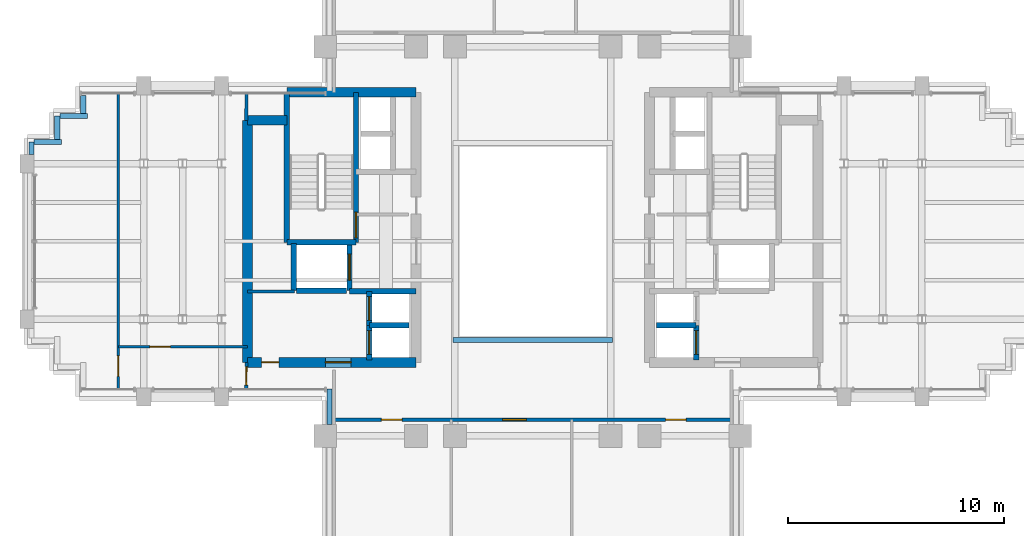
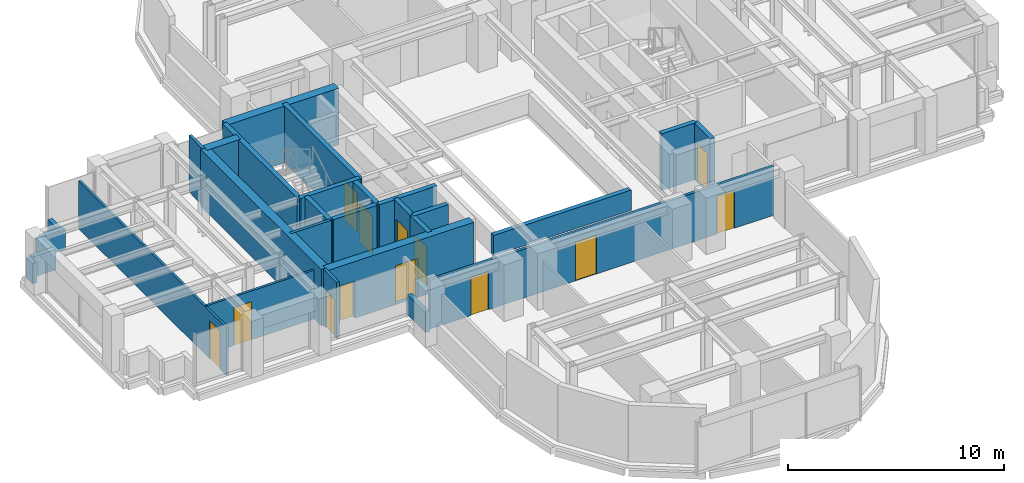
# One storey, part 8 of 13: 29 walls, 13 doors, 13 openings.
"""IFC4 building model written with IfcOpenShell, lengths in metres."""

import ifcopenshell
import ifcopenshell.guid

model = None  # the IFC model being written
_history = None  # IfcOwnerHistory: only IFC2X3 demands one
_inside = {}  # id of a spatial element -> (the spatial element, [elements in it])
_under = {}  # id of a project, library or spatial element -> (it, [spatial elements below it])
_declared = {}  # id of a project -> (the project, [libraries it declares])
_typed = {}  # id of a type object -> (the type object, [elements of that type])
_made_of = {}  # id of a material, layer set ... -> (it, [elements and type objects made of it])


def new_model(schema):
    """Start an empty IFC model of exactly this schema.

    Asked for "IFC4X3", IfcOpenShell would pick the latest addendum, in which some entities
    have other attributes; the version numbers below select the first issue.
    IFC2X3 requires an IfcOwnerHistory on every rooted entity: one is made here for all.
    """
    global model, _history
    if schema == "IFC4X3":
        model = ifcopenshell.file(schema_version=(4, 3, 0, 0))
    else:
        model = ifcopenshell.file(schema=schema)
    _inside.clear()
    _under.clear()
    _declared.clear()
    _typed.clear()
    _made_of.clear()
    _history = None
    if model.schema == "IFC2X3":
        org = make("IfcOrganization", Name="unknown")
        user = make(
            "IfcPersonAndOrganization",
            ThePerson=make("IfcPerson", FamilyName="unknown"),
            TheOrganization=org,
        )
        app = make(
            "IfcApplication",
            ApplicationDeveloper=org,
            Version="unknown",
            ApplicationFullName="unknown",
            ApplicationIdentifier="unknown",
        )
        _history = make(
            "IfcOwnerHistory",
            OwningUser=user,
            OwningApplication=app,
            ChangeAction="ADDED",
            CreationDate=0,
        )
    return model


def make(cls, **values):
    """One entity of the class cls with the attributes given. An attribute that is None is left unset."""
    return model.create_entity(
        cls, **{name: value for name, value in values.items() if value is not None}
    )


def rooted(cls, **values):
    """An entity with a GlobalId (a new one), such as an element, a storey or a relation."""
    return make(cls, GlobalId=ifcopenshell.guid.new(), OwnerHistory=_history, **values)


def si_unit(unit_type, name, prefix=None):
    """IfcSIUnit, for example si_unit("LENGTHUNIT", "METRE", prefix="MILLI")."""
    return make("IfcSIUnit", UnitType=unit_type, Prefix=prefix, Name=name)


def assignment(units):
    """IfcUnitAssignment: the units of a project."""
    return None if units is None else make("IfcUnitAssignment", Units=units)


def point(xyz):
    """IfcCartesianPoint."""
    return None if xyz is None else make("IfcCartesianPoint", Coordinates=xyz)


def direction(xyz):
    """IfcDirection."""
    return None if xyz is None else make("IfcDirection", DirectionRatios=xyz)


def frame(location, z_axis=None, x_axis=None):
    """IfcAxis2Placement3D, a coordinate frame: its origin and axes. An axis left out is left unset."""
    return make(
        "IfcAxis2Placement3D",
        Location=point(location),
        Axis=direction(z_axis),
        RefDirection=direction(x_axis),
    )


def frame_2d(location, x_axis=None):
    """IfcAxis2Placement2D, a coordinate frame in the plane: its origin and x axis."""
    return make(
        "IfcAxis2Placement2D", Location=point(location), RefDirection=direction(x_axis)
    )


def origin():
    """The frame at (0, 0, 0) with its axes left unset."""
    return frame((0.0, 0.0, 0.0))


def place(relative_to, where):
    """IfcLocalPlacement: puts the frame where relative to a parent placement (None: the world)."""
    return make(
        "IfcLocalPlacement", PlacementRelTo=relative_to, RelativePlacement=where
    )


def context(
    kind, dimensions, precision=None, world=None, true_north=None, identifier=None
):
    """IfcGeometricRepresentationContext, for example the 3D "Model" context."""
    return make(
        "IfcGeometricRepresentationContext",
        ContextIdentifier=identifier,
        ContextType=kind,
        CoordinateSpaceDimension=dimensions,
        Precision=precision,
        WorldCoordinateSystem=world,
        TrueNorth=true_north,
    )


def subcontext(parent, identifier, kind, view, scale=None):
    """IfcGeometricRepresentationSubContext, for example "Body" below "Model"."""
    return make(
        "IfcGeometricRepresentationSubContext",
        ContextIdentifier=identifier,
        ContextType=kind,
        ParentContext=parent,
        TargetScale=scale,
        TargetView=view,
    )


def project(units=None, contexts=None):
    """IfcProject with its units and contexts."""
    return rooted(
        "IfcProject",
        Name="project",
        RepresentationContexts=contexts,
        UnitsInContext=assignment(units),
    )


def spatial(cls, under=None, at=None, **own):
    """A site, building, storey or space (cls), placed at a placement, below another one or the project."""
    s = rooted(cls, ObjectPlacement=at, **own)
    if under is not None:
        _under.setdefault(under.id(), (under, []))[1].append(s)
    return s


def profile(cls, at=None, kind="AREA", **sizes):
    """A parametric profile (cls). Its sizes go by their IFC names, for example OverallWidth=200.0."""
    return make(cls, ProfileType=kind, Position=at, **sizes)


def rectangle(**sizes):
    """IfcRectangleProfileDef."""
    return profile("IfcRectangleProfileDef", **sizes)


def extrude(swept, where, along, depth):
    """IfcExtrudedAreaSolid: the profile swept, set in the frame where, extruded along a direction by depth."""
    return make(
        "IfcExtrudedAreaSolid",
        SweptArea=swept,
        Position=where,
        ExtrudedDirection=direction(along),
        Depth=depth,
    )


def shape(context_of_items, identifier, shape_type, items):
    """IfcShapeRepresentation: the items that make up one representation, for example the "Body"."""
    return make(
        "IfcShapeRepresentation",
        ContextOfItems=context_of_items,
        RepresentationIdentifier=identifier,
        RepresentationType=shape_type,
        Items=items,
    )


def source(mapping_origin, context_of_items, identifier, shape_type, items):
    """IfcRepresentationMap: a shape defined once, which mapped items show again and again."""
    return make(
        "IfcRepresentationMap",
        MappingOrigin=mapping_origin,
        MappedRepresentation=shape(context_of_items, identifier, shape_type, items),
    )


def transform(
    local_origin,
    x_axis=None,
    y_axis=None,
    z_axis=None,
    scale=None,
    scale2=None,
    scale3=None,
    uniform=True,
):
    """IfcCartesianTransformationOperator3D, or its non-uniform kind. x_axis, y_axis, z_axis: its Axis1, 2, 3."""
    if uniform:
        return make(
            "IfcCartesianTransformationOperator3D",
            Axis1=direction(x_axis),
            Axis2=direction(y_axis),
            LocalOrigin=point(local_origin),
            Scale=scale,
            Axis3=direction(z_axis),
        )
    return make(
        "IfcCartesianTransformationOperator3DnonUniform",
        Axis1=direction(x_axis),
        Axis2=direction(y_axis),
        LocalOrigin=point(local_origin),
        Scale=scale,
        Axis3=direction(z_axis),
        Scale2=scale2,
        Scale3=scale3,
    )


def mapped(mapping_source, mapping_target):
    """IfcMappedItem: shows the shape of a source again, moved by a transform."""
    return make(
        "IfcMappedItem", MappingSource=mapping_source, MappingTarget=mapping_target
    )


def material(Name=None, Category=None):
    """IfcMaterial."""
    return make("IfcMaterial", Name=Name, Category=Category)


def layer(
    of_material, thickness, ventilated=None, Name=None, Category=None, Priority=None
):
    """IfcMaterialLayer: one layer of a wall or slab, of a material (None: an air gap)."""
    return make(
        "IfcMaterialLayer",
        Material=of_material,
        LayerThickness=thickness,
        IsVentilated=ventilated,
        Name=Name,
        Category=Category,
        Priority=Priority,
    )


def layer_set(layers, Name=None):
    """IfcMaterialLayerSet."""
    return make("IfcMaterialLayerSet", MaterialLayers=layers, LayerSetName=Name)


def made_of(thing, what):
    """Note that an element or type object is made of a material, layer set ...; save() writes the relation."""
    if what is not None:
        _made_of.setdefault(what.id(), (what, []))[1].append(thing)
    return thing


def type_object(cls, material=None, **own):
    """A type object (cls), such as IfcWallType, which elements share."""
    return made_of(rooted(cls, **own), material)


def element(
    cls,
    number,
    at=None,
    inside=None,
    cuts=None,
    type_object=None,
    material=None,
    context=None,
    identifier="Body",
    shape_type=None,
    held_by="IfcProductDefinitionShape",
    body=None,
    shapes=None,
    **own,
):
    """One element of the class cls, such as IfcWall. Its Tag is "e" and its number.

    at: its placement. inside: the storey or other place that contains it. cuts: it is an
    opening in that element (IfcRelVoidsElement). A single representation is given by context,
    identifier, shape_type and body (its items); several are given by shapes. held_by: the class
    of the entity that holds the representations. save() writes the other relations.
    """
    e = rooted(cls, Tag="e%d" % number, ObjectPlacement=at, **own)
    if body is not None:
        shapes = [shape(context, identifier, shape_type, body)]
    if shapes is not None:
        e.Representation = make(held_by, Representations=shapes)
    if inside is not None:
        _inside.setdefault(inside.id(), (inside, []))[1].append(e)
    if cuts is not None:
        rooted(
            "IfcRelVoidsElement", RelatingBuildingElement=cuts, RelatedOpeningElement=e
        )
    if type_object is not None:
        _typed.setdefault(type_object.id(), (type_object, []))[1].append(e)
    return made_of(e, material)


def fill(opening, filler):
    """IfcRelFillsElement: the door or window that sits in an opening."""
    return rooted(
        "IfcRelFillsElement",
        RelatingOpeningElement=opening,
        RelatedBuildingElement=filler,
    )


def aggregate(whole, parts):
    """IfcRelAggregates: a whole, such as a stair, and the parts it consists of."""
    return rooted("IfcRelAggregates", RelatingObject=whole, RelatedObjects=parts)


def save(model, path):
    """Write the relations noted so far, then the file.

    IfcRelAggregates (storeys below a building ...), IfcRelContainedInSpatialStructure (elements
    in a storey), IfcRelDefinesByType, IfcRelAssociatesMaterial and IfcRelDeclares: one each for
    every whole, place, type object, material and project.
    """
    for whole, parts in _under.values():
        aggregate(whole, parts)
    for where, things in _inside.values():
        rooted(
            "IfcRelContainedInSpatialStructure",
            RelatedElements=things,
            RelatingStructure=where,
        )
    for kind, things in _typed.values():
        rooted("IfcRelDefinesByType", RelatedObjects=things, RelatingType=kind)
    for what, things in _made_of.values():
        rooted("IfcRelAssociatesMaterial", RelatedObjects=things, RelatingMaterial=what)
    for by, libraries in _declared.values():
        rooted("IfcRelDeclares", RelatingContext=by, RelatedDefinitions=libraries)
    model.write(path)


model = new_model("IFC4")

# Units and contexts
model_context = context("Model", 3, precision=1e-05, world=origin(), true_north=direction((0.0, 1.0)))
body_context = subcontext(model_context, "Body", "Model", "MODEL_VIEW")
ifc_project = project(units=[si_unit("LENGTHUNIT", "METRE"), si_unit("AREAUNIT", "SQUARE_METRE"), si_unit("VOLUMEUNIT", "CUBIC_METRE"), si_unit("PLANEANGLEUNIT", "RADIAN"), si_unit("MASSUNIT", "GRAM", prefix="KILO")], contexts=[model_context])

# Site, building, storey
site_placement = place(None, origin())
site = spatial("IfcSite", under=ifc_project, at=site_placement, CompositionType="ELEMENT")
building_placement = place(site_placement, origin())
building = spatial("IfcBuilding", under=site, at=building_placement, Name="Keilestroom Media Tower", CompositionType="ELEMENT")
storey_placement = place(building_placement, frame((0.0, 0.0, 144.800048828125)))
storey = spatial("IfcBuildingStorey", under=building, at=storey_placement, Name="L39", CompositionType="ELEMENT", Elevation=144.800048828125)

# Wall, opening, door
ifc_material_1 = material(Name="Gypsum Plasterboard & Steel Stud", Category="steel")
ifc_layer_1 = layer(ifc_material_1, 0.1201171875)
ifc_layer_set_1 = layer_set([ifc_layer_1], Name="Gypsum Plasterboard & Steel Stud")
wall_type_1 = type_object("IfcWallType", Name="Interior-Partition-Wall-120", PredefinedType="PARTITIONING", material=ifc_layer_set_1)
wall_1_placement = place(storey_placement, frame((-19.169921875, -4.8798828125, 0.0), z_axis=(0.0, 0.0, 1.0), x_axis=(1.0, 0.0, 0.0)))
wall_1 = element("IfcWall", 1, at=wall_1_placement, inside=storey, type_object=wall_type_1, Name="L39 Interior Wall WP-L39-WA-CN", PredefinedType="PARTITIONING", context=body_context, shape_type="SweptSolid", body=[
    extrude(rectangle(XDim=5.969970703125, YDim=0.1201171875, at=frame_2d((2.98486328125, 0.0))), origin(), (0.0, 0.0, 1.0), 2.760009765625),
])
opening_1_placement = place(wall_1_placement, frame((1.449951171875, 0.0, 0.0)))
opening_1 = element("IfcOpeningElement", 2, at=opening_1_placement, cuts=wall_1, Name="Opening DI-03", PredefinedType="OPENING", context=body_context, shape_type="SweptSolid", body=[
    extrude(rectangle(XDim=0.949951171875, YDim=2.14990234375, at=frame_2d((0.47509765625, 1.074951171875))), frame((0.0, 0.070068359375, 0.0), z_axis=(0.0, -1.0, 0.0), x_axis=(1.0, 0.0, 0.0)), (0.0, 0.0, 1.0), 0.14013671875),
])
ifc_material_2 = material(Name="Lacquered European Oak Leaf", Category="wood")
door_type_1 = type_object("IfcDoorType", Name="Interior-Room-And-Suite-Door-DI-03", OperationType="NOTDEFINED", PredefinedType="DOOR", material=ifc_material_2)
shared_shape_1 = source(origin(), body_context, "Body", "SweptSolid", [
    extrude(rectangle(XDim=0.949951171875, YDim=2.14990234375, at=frame_2d((0.47509765625, 1.074951171875))), frame((0.0, 0.02490234375, 0.0), z_axis=(0.0, -1.0, 0.0), x_axis=(1.0, 0.0, 0.0)), (0.0, 0.0, 1.0), 0.050048828125),
])
door_1_placement = place(opening_1_placement, origin())
door_1 = element("IfcDoor", 3, at=door_1_placement, inside=storey, type_object=door_type_1, Name="L39 Interior Door DI-L39-DWA-RN", OperationType="SINGLE_SWING_RIGHT", OverallHeight=2.14990234375, OverallWidth=0.949951171875, PredefinedType="DOOR", context=body_context, shape_type="MappedRepresentation", body=[
    mapped(shared_shape_1, transform((0.0, 0.0, 0.0), x_axis=(1.0, 0.0, 0.0), y_axis=(0.0, 1.0, 0.0), z_axis=(0.0, 0.0, 1.0), scale=1.0)),
])
fill(opening_1, door_1)

wall_2_placement = place(storey_placement, frame((-19.169921875, -6.85009765625, 0.0), z_axis=(0.0, 0.0, 1.0), x_axis=(0.0, 1.0, 0.0)))
wall_2 = element("IfcWall", 4, at=wall_2_placement, inside=storey, type_object=wall_type_1, Name="L39 Interior Wall WP-L39-WA-CE", PredefinedType="PARTITIONING", context=body_context, shape_type="SweptSolid", body=[
    extrude(rectangle(XDim=13.7001953125, YDim=0.1201171875, at=frame_2d((6.85009765625, 0.0))), origin(), (0.0, 0.0, 1.0), 2.699951171875),
])
opening_2_placement = place(wall_2_placement, frame((0.60009765625, 0.0, 0.0)))
opening_2 = element("IfcOpeningElement", 5, at=opening_2_placement, cuts=wall_2, Name="Opening DI-03", PredefinedType="OPENING", context=body_context, shape_type="SweptSolid", body=[
    extrude(rectangle(XDim=0.949951171875, YDim=2.14990234375, at=frame_2d((0.47509765625, 1.074951171875))), frame((0.0, 0.070068359375, 0.0), z_axis=(0.0, -1.0, 0.0), x_axis=(1.0, 0.0, 0.0)), (0.0, 0.0, 1.0), 0.14013671875),
])
door_2_placement = place(opening_2_placement, origin())
door_2 = element("IfcDoor", 6, at=door_2_placement, inside=storey, type_object=door_type_1, Name="L39 Interior Door DI-L39-DWA-END", OperationType="SINGLE_SWING_LEFT", OverallHeight=2.14990234375, OverallWidth=0.949951171875, PredefinedType="DOOR", context=body_context, shape_type="MappedRepresentation", body=[
    mapped(shared_shape_1, transform((0.0, 0.0, 0.0), x_axis=(1.0, 0.0, 0.0), y_axis=(0.0, 1.0, 0.0), z_axis=(0.0, 0.0, 1.0), scale=1.0)),
])
fill(opening_2, door_2)

# Wall
ifc_layer_2 = layer(ifc_material_1, 0.14990234375)
ifc_layer_set_2 = layer_set([ifc_layer_2], Name="Gypsum Plasterboard & Steel Stud")
wall_type_2 = type_object("IfcWallType", Name="Interior-Partition-Wall-150", PredefinedType="PARTITIONING", material=ifc_layer_set_2)
wall_3_placement = place(storey_placement, frame((-13.199951171875, -2.320068359375, 0.0), z_axis=(0.0, 0.0, 1.0), x_axis=(1.0, 0.0, 0.0)))
element("IfcWall", 7, at=wall_3_placement, inside=storey, type_object=wall_type_2, Name="L39 Interior Wall WP-L39-RECLW-N", PredefinedType="PARTITIONING", context=body_context, shape_type="SweptSolid", body=[
    extrude(rectangle(XDim=2.179931640625, YDim=0.14990234375, at=frame_2d((1.08984375, 0.0))), origin(), (0.0, 0.0, 1.0), 3.199951171875),
])

# Wall, openings, doors
wall_4_placement = place(storey_placement, frame((-9.199951171875, -8.25, 0.0), z_axis=(0.0, 0.0, 1.0), x_axis=(1.0, 0.0, 0.0)))
wall_4 = element("IfcWall", 8, at=wall_4_placement, inside=storey, type_object=wall_type_2, Name="L39 Interior Wall WP-L39-SL-BASE", PredefinedType="PARTITIONING", context=body_context, shape_type="SweptSolid", body=[
    extrude(rectangle(XDim=18.39990234375, YDim=0.14990234375, at=frame_2d((9.199951171875, 0.0))), origin(), (0.0, 0.0, 1.0), 2.760009765625),
])
opening_3_placement = place(wall_4_placement, frame((2.199951171875, 0.0, 0.0)))
opening_3 = element("IfcOpeningElement", 9, at=opening_3_placement, cuts=wall_4, Name="Opening DI-03", PredefinedType="OPENING", context=body_context, shape_type="SweptSolid", body=[
    extrude(rectangle(XDim=0.949951171875, YDim=2.14990234375, at=frame_2d((0.47509765625, 1.074951171875))), frame((0.0, 0.0849609375, 0.0), z_axis=(0.0, -1.0, 0.0), x_axis=(1.0, 0.0, 0.0)), (0.0, 0.0, 1.0), 0.169921875),
])
opening_4_placement = place(wall_4_placement, frame((7.800048828125, 0.0, 0.0)))
opening_4 = element("IfcOpeningElement", 10, at=opening_4_placement, cuts=wall_4, Name="Opening DI-04", PredefinedType="OPENING", context=body_context, shape_type="SweptSolid", body=[
    extrude(rectangle(XDim=1.10009765625, YDim=2.199951171875, at=frame_2d((0.550048828125, 1.10009765625))), frame((0.0, 0.0849609375, 0.0), z_axis=(0.0, -1.0, 0.0), x_axis=(1.0, 0.0, 0.0)), (0.0, 0.0, 1.0), 0.169921875),
])
opening_5_placement = place(wall_4_placement, frame((15.35009765625, 0.0, 0.0)))
opening_5 = element("IfcOpeningElement", 11, at=opening_5_placement, cuts=wall_4, Name="Opening DI-03", PredefinedType="OPENING", context=body_context, shape_type="SweptSolid", body=[
    extrude(rectangle(XDim=0.949951171875, YDim=2.14990234375, at=frame_2d((0.47509765625, 1.074951171875))), frame((0.0, 0.0849609375, 0.0), z_axis=(0.0, -1.0, 0.0), x_axis=(1.0, 0.0, 0.0)), (0.0, 0.0, 1.0), 0.169921875),
])
door_3_placement = place(opening_3_placement, origin())
door_3 = element("IfcDoor", 12, at=door_3_placement, inside=storey, type_object=door_type_1, Name="L39 Interior Door DI-L39-DSL-1", OperationType="SINGLE_SWING_LEFT", OverallHeight=2.14990234375, OverallWidth=0.949951171875, PredefinedType="DOOR", context=body_context, shape_type="MappedRepresentation", body=[
    mapped(shared_shape_1, transform((0.0, 0.0, 0.0), x_axis=(1.0, 0.0, 0.0), y_axis=(0.0, 1.0, 0.0), z_axis=(0.0, 0.0, 1.0), scale=1.0)),
])
fill(opening_3, door_3)
door_4_placement = place(opening_5_placement, origin())
door_4 = element("IfcDoor", 13, at=door_4_placement, inside=storey, type_object=door_type_1, Name="L39 Interior Door DI-L39-DSL-3", OperationType="SINGLE_SWING_LEFT", OverallHeight=2.14990234375, OverallWidth=0.949951171875, PredefinedType="DOOR", context=body_context, shape_type="MappedRepresentation", body=[
    mapped(shared_shape_1, transform((0.0, 0.0, 0.0), x_axis=(1.0, 0.0, 0.0), y_axis=(0.0, 1.0, 0.0), z_axis=(0.0, 0.0, 1.0), scale=1.0)),
])
fill(opening_5, door_4)
ifc_material_3 = material(Name="Acoustic Glazed Aluminium Leaf", Category="aluminium")
door_type_2 = type_object("IfcDoorType", Name="Interior-Room-And-Suite-Door-DI-04", OperationType="NOTDEFINED", PredefinedType="DOOR", material=ifc_material_3)
shared_shape_2 = source(origin(), body_context, "Body", "SweptSolid", [
    extrude(rectangle(XDim=1.10009765625, YDim=2.199951171875, at=frame_2d((0.550048828125, 1.10009765625))), frame((0.0, 0.02490234375, 0.0), z_axis=(0.0, -1.0, 0.0), x_axis=(1.0, 0.0, 0.0)), (0.0, 0.0, 1.0), 0.050048828125),
])
door_5_placement = place(opening_4_placement, origin())
door_5 = element("IfcDoor", 14, at=door_5_placement, inside=storey, type_object=door_type_2, Name="L39 Interior Door DI-L39-DSL-2", OperationType="SINGLE_SWING_RIGHT", OverallHeight=2.199951171875, OverallWidth=1.10009765625, PredefinedType="DOOR", context=body_context, shape_type="MappedRepresentation", body=[
    mapped(shared_shape_2, transform((0.0, 0.0, 0.0), x_axis=(1.0, 0.0, 0.0), y_axis=(0.0, 1.0, 0.0), z_axis=(0.0, 0.0, 1.0), scale=1.0)),
])
fill(opening_4, door_5)

# Wall
wall_5_placement = place(storey_placement, frame((-13.260009765625, 5.60009765625, 0.0), z_axis=(0.0, 0.0, 1.0), x_axis=(0.016013571389, 0.999871774545, 0.0)))
element("IfcWall", 15, at=wall_5_placement, inside=storey, type_object=wall_type_2, Name="L39 Interior Wall WP-L39-WA-ENTN", PredefinedType="PARTITIONING", context=body_context, shape_type="SweptSolid", body=[
    extrude(rectangle(XDim=1.250244140625, YDim=0.14990234375, at=frame_2d((0.625, 0.0))), origin(), (0.0, 0.0, 1.0), 3.199951171875),
])

# Wall, opening, door
wall_6_placement = place(storey_placement, frame((-13.260009765625, -6.85009765625, 0.0), z_axis=(0.0, 0.0, 1.0), x_axis=(0.016013571389, 0.999871774545, 0.0)))
wall_6 = element("IfcWall", 16, at=wall_6_placement, inside=storey, type_object=wall_type_2, Name="L39 Interior Wall WP-L39-WA-ENTS", PredefinedType="PARTITIONING", context=body_context, shape_type="SweptSolid", body=[
    extrude(rectangle(XDim=1.250244140625, YDim=0.14990234375, at=frame_2d((0.625, 0.0))), origin(), (0.0, 0.0, 1.0), 3.199951171875),
])
opening_6_placement = place(wall_6_placement, frame((0.199951171875, 0.0, 0.0)))
opening_6 = element("IfcOpeningElement", 17, at=opening_6_placement, cuts=wall_6, Name="Opening DI-05", PredefinedType="OPENING", context=body_context, shape_type="SweptSolid", body=[
    extrude(rectangle(XDim=0.85009765625, YDim=2.10009765625, at=frame_2d((0.425048828125, 1.050048828125))), frame((0.0, 0.0849609375, 0.0), z_axis=(0.0, -1.0, 0.0), x_axis=(1.0, 0.0, 0.0)), (0.0, 0.0, 1.0), 0.169921875),
])
ifc_material_4 = material(Name="Moisture-Resistant Oak Leaf", Category="wood")
door_type_3 = type_object("IfcDoorType", Name="Interior-En-Suite-And-Cupboard-Door-DI-05", OperationType="NOTDEFINED", PredefinedType="DOOR", material=ifc_material_4)
shared_shape_3 = source(origin(), body_context, "Body", "SweptSolid", [
    extrude(rectangle(XDim=0.85009765625, YDim=2.10009765625, at=frame_2d((0.425048828125, 1.050048828125))), frame((0.0, 0.02490234375, 0.0), z_axis=(0.0, -1.0, 0.0), x_axis=(1.0, 0.0, 0.0)), (0.0, 0.0, 1.0), 0.050048828125),
])
door_6_placement = place(opening_6_placement, origin())
door_6 = element("IfcDoor", 18, at=door_6_placement, inside=storey, type_object=door_type_3, Name="L39 Interior Door DI-L39-DWA-ENTS", OperationType="SINGLE_SWING_RIGHT", OverallHeight=2.10009765625, OverallWidth=0.85009765625, PredefinedType="DOOR", context=body_context, shape_type="MappedRepresentation", body=[
    mapped(shared_shape_3, transform((0.0, 0.0, 0.0), x_axis=(1.0, 0.0, 0.0), y_axis=(0.0, 1.0, 0.0), z_axis=(0.0, 0.0, 1.0), scale=1.0)),
])
fill(opening_6, door_6)

# Walls
ifc_material_5 = material(Name="Concrete C55/67", Category="concrete")
ifc_layer_3 = layer(ifc_material_5, 0.449951171875)
ifc_layer_set_3 = layer_set([ifc_layer_3], Name="Concrete C55/67")
wall_type_3 = type_object("IfcWallType", Name="Reinforced-Concrete-Core-Shear-Wall-450", PredefinedType="SHEAR", material=ifc_layer_set_3)
wall_7_placement = place(storey_placement, frame((-13.199951171875, -5.60009765625, 0.0), z_axis=(0.0, 0.0, 1.0), x_axis=(0.0, 1.0, 0.0)))
element("IfcWall", 19, at=wall_7_placement, inside=storey, type_object=wall_type_3, Name="L39 Core Shear Wall WL-L39-CORE-W-OUT", PredefinedType="SHEAR", context=body_context, shape_type="SweptSolid", body=[
    extrude(rectangle(XDim=11.2001953125, YDim=0.449951171875, at=frame_2d((5.60009765625, 0.0))), origin(), (0.0, 0.0, 1.0), 3.199951171875),
])
wall_8_placement = place(storey_placement, frame((-11.381103515625, 6.89990234375, 0.0), z_axis=(0.0, 0.0, 1.0), x_axis=(1.0, 0.0, 0.0)))
element("IfcWall", 20, at=wall_8_placement, inside=storey, type_object=wall_type_3, Name="L39 Core Shear Wall WL-L39-CORE-W-N", PredefinedType="SHEAR", context=body_context, shape_type="SweptSolid", body=[
    extrude(rectangle(XDim=5.981201171875, YDim=0.449951171875, at=frame_2d((2.99072265625, 0.0))), origin(), (0.0, 0.0, 1.0), 3.199951171875),
])
wall_9_placement = place(storey_placement, frame((-13.199951171875, 5.60009765625, 0.0), z_axis=(0.0, 0.0, 1.0), x_axis=(1.0, 0.0, 0.0)))
element("IfcWall", 21, at=wall_9_placement, inside=storey, type_object=wall_type_3, Name="L39 Core Shear Wall WL-L39-CNW-N", PredefinedType="SHEAR", context=body_context, shape_type="SweptSolid", body=[
    extrude(rectangle(XDim=1.81884765625, YDim=0.449951171875, at=frame_2d((0.909423828125, 0.0))), origin(), (0.0, 0.0, 1.0), 3.199951171875),
])

# Wall, openings, doors
wall_10_placement = place(storey_placement, frame((-13.199951171875, -5.60009765625, 0.0), z_axis=(0.0, 0.0, 1.0), x_axis=(1.0, 0.0, 0.0)))
wall_10 = element("IfcWall", 22, at=wall_10_placement, inside=storey, type_object=wall_type_3, Name="L39 Core Shear Wall WL-L39-CORE-W-S", PredefinedType="SHEAR", context=body_context, shape_type="SweptSolid", body=[
    extrude(rectangle(XDim=7.800048828125, YDim=0.449951171875, at=frame_2d((3.89990234375, 0.0))), origin(), (0.0, 0.0, 1.0), 3.199951171875),
])
opening_7_placement = place(wall_10_placement, frame((3.60009765625, 0.0, 0.0)))
opening_7 = element("IfcOpeningElement", 23, at=opening_7_placement, cuts=wall_10, Name="Opening DI-02", PredefinedType="OPENING", context=body_context, shape_type="SweptSolid", body=[
    extrude(rectangle(XDim=1.199951171875, YDim=2.199951171875, at=frame_2d((0.60009765625, 1.10009765625))), frame((0.0, 0.23486328125, 0.0), z_axis=(0.0, -1.0, 0.0), x_axis=(1.0, 0.0, 0.0)), (0.0, 0.0, 1.0), 0.469970703125),
])
opening_8_placement = place(wall_10_placement, frame((0.64990234375, 0.0, 0.0)))
opening_8 = element("IfcOpeningElement", 24, at=opening_8_placement, cuts=wall_10, Name="Opening DI-06", PredefinedType="OPENING", context=body_context, shape_type="SweptSolid", body=[
    extrude(rectangle(XDim=0.800048828125, YDim=2.10009765625, at=frame_2d((0.39990234375, 1.050048828125))), frame((0.0, 0.23486328125, 0.0), z_axis=(0.0, -1.0, 0.0), x_axis=(1.0, 0.0, 0.0)), (0.0, 0.0, 1.0), 0.469970703125),
])
ifc_material_6 = material(Name="Powder-Coated Steel Fire Leaf", Category="steel")
door_type_4 = type_object("IfcDoorType", Name="Interior-Compartment-Fire-Door-DI-02", OperationType="NOTDEFINED", PredefinedType="DOOR", material=ifc_material_6)
shared_shape_4 = source(origin(), body_context, "Body", "SweptSolid", [
    extrude(rectangle(XDim=1.199951171875, YDim=2.199951171875, at=frame_2d((0.60009765625, 1.10009765625))), frame((0.0, 0.02490234375, 0.0), z_axis=(0.0, -1.0, 0.0), x_axis=(1.0, 0.0, 0.0)), (0.0, 0.0, 1.0), 0.050048828125),
])
door_7_placement = place(opening_7_placement, origin())
door_7 = element("IfcDoor", 25, at=door_7_placement, inside=storey, type_object=door_type_4, Name="L39 W Passenger Lift Lobby Door", OperationType="SINGLE_SWING_LEFT", OverallHeight=2.199951171875, OverallWidth=1.199951171875, PredefinedType="DOOR", context=body_context, shape_type="MappedRepresentation", body=[
    mapped(shared_shape_4, transform((0.0, 0.0, 0.0), x_axis=(1.0, 0.0, 0.0), y_axis=(0.0, 1.0, 0.0), z_axis=(0.0, 0.0, 1.0), scale=1.0)),
])
fill(opening_7, door_7)
ifc_material_7 = material(Name="Powder-Coated Steel Service Leaf", Category="steel")
door_type_5 = type_object("IfcDoorType", Name="Interior-Riser-Access-Door-DI-06", OperationType="NOTDEFINED", PredefinedType="DOOR", material=ifc_material_7)
shared_shape_5 = source(origin(), body_context, "Body", "SweptSolid", [
    extrude(rectangle(XDim=0.800048828125, YDim=2.10009765625, at=frame_2d((0.39990234375, 1.050048828125))), frame((0.0, 0.02490234375, 0.0), z_axis=(0.0, -1.0, 0.0), x_axis=(1.0, 0.0, 0.0)), (0.0, 0.0, 1.0), 0.050048828125),
])
door_8_placement = place(opening_8_placement, origin())
door_8 = element("IfcDoor", 26, at=door_8_placement, inside=storey, type_object=door_type_5, Name="L39 Reclaimed West Core Room Door", OperationType="SINGLE_SWING_LEFT", OverallHeight=2.10009765625, OverallWidth=0.800048828125, PredefinedType="DOOR", context=body_context, shape_type="MappedRepresentation", body=[
    mapped(shared_shape_5, transform((0.0, 0.0, 0.0), x_axis=(1.0, 0.0, 0.0), y_axis=(0.0, 1.0, 0.0), z_axis=(0.0, 0.0, 1.0), scale=1.0)),
])
fill(opening_8, door_8)

# Wall
ifc_material_8 = material(Name="Concrete C50/60", Category="concrete")
ifc_layer_4 = layer(ifc_material_8, 0.25)
ifc_layer_set_4 = layer_set([ifc_layer_4], Name="Concrete C50/60")
wall_type_4 = type_object("IfcWallType", Name="Reinforced-Concrete-Shaft-Wall-250", PredefinedType="SOLIDWALL", material=ifc_layer_set_4)
wall_11_placement = place(storey_placement, frame((-8.47998046875, -2.300048828125, 0.0), z_axis=(0.0, 0.0, 1.0), x_axis=(1.0, 0.0, 0.0)))
element("IfcWall", 27, at=wall_11_placement, inside=storey, type_object=wall_type_4, Name="L39 Core Shear Wall WL-L39-CORE-W-FFS", PredefinedType="SOLIDWALL", context=body_context, shape_type="SweptSolid", body=[
    extrude(rectangle(XDim=3.080078125, YDim=0.25, at=frame_2d((1.5400390625, 0.0))), origin(), (0.0, 0.0, 1.0), 3.199951171875),
])

# Wall, opening, door
wall_12_placement = place(storey_placement, frame((-8.178955078125, -0.041015625, 0.0), z_axis=(0.0, 0.0, 1.0), x_axis=(0.0, 1.0, 0.0)))
wall_12 = element("IfcWall", 28, at=wall_12_placement, inside=storey, type_object=wall_type_4, Name="L39 Core Shear Wall WL-L39-STW-W-NEAR", PredefinedType="SOLIDWALL", context=body_context, shape_type="SweptSolid", body=[
    extrude(rectangle(XDim=6.94091796875, YDim=0.25, at=frame_2d((3.470458984375, 0.0))), origin(), (0.0, 0.0, 1.0), 3.199951171875),
])
opening_9_placement = place(wall_12_placement, frame((0.199951171875, 0.0, 0.0)))
opening_9 = element("IfcOpeningElement", 29, at=opening_9_placement, cuts=wall_12, Name="Opening DI-01S", PredefinedType="OPENING", context=body_context, shape_type="SweptSolid", body=[
    extrude(rectangle(XDim=1.199951171875, YDim=2.199951171875, at=frame_2d((0.60009765625, 1.10009765625))), frame((0.0, 0.135009765625, 0.0), z_axis=(0.0, -1.0, 0.0), x_axis=(1.0, 0.0, 0.0)), (0.0, 0.0, 1.0), 0.27001953125),
])
door_type_6 = type_object("IfcDoorType", Name="Interior-Stair-And-Core-Fire-Door-DI-01", OperationType="NOTDEFINED", PredefinedType="DOOR", material=ifc_material_6)
door_9_placement = place(opening_9_placement, origin())
door_9 = element("IfcDoor", 30, at=door_9_placement, inside=storey, type_object=door_type_6, Name="L39 Escape Stair ST-1 Fire Door", OperationType="SINGLE_SWING_LEFT", OverallHeight=2.199951171875, OverallWidth=1.199951171875, PredefinedType="DOOR", context=body_context, shape_type="MappedRepresentation", body=[
    mapped(shared_shape_4, transform((0.0, 0.0, 0.0), x_axis=(1.0, 0.0, 0.0), y_axis=(0.0, 1.0, 0.0), z_axis=(0.0, 0.0, 1.0), scale=1.0)),
])
fill(opening_9, door_9)

# Walls
wall_13_placement = place(storey_placement, frame((-11.381103515625, -0.041015625, 0.0), z_axis=(0.0, 0.0, 1.0), x_axis=(0.0, 1.0, 0.0)))
element("IfcWall", 31, at=wall_13_placement, inside=storey, type_object=wall_type_4, Name="L39 Core Shear Wall WL-L39-STW-W-FAR", PredefinedType="SOLIDWALL", context=body_context, shape_type="SweptSolid", body=[
    extrude(rectangle(XDim=6.94091796875, YDim=0.25, at=frame_2d((3.470458984375, 0.0))), origin(), (0.0, 0.0, 1.0), 3.199951171875),
])
wall_14_placement = place(storey_placement, frame((-11.381103515625, -0.041015625, 0.0), z_axis=(0.0, 0.0, 1.0), x_axis=(1.0, 0.0, 0.0)))
element("IfcWall", 32, at=wall_14_placement, inside=storey, type_object=wall_type_4, Name="L39 Core Shear Wall WL-L39-STW-W-S", PredefinedType="SOLIDWALL", context=body_context, shape_type="SweptSolid", body=[
    extrude(rectangle(XDim=3.2021484375, YDim=0.25, at=frame_2d((1.60107421875, 0.0))), origin(), (0.0, 0.0, 1.0), 3.199951171875),
])
wall_15_placement = place(storey_placement, frame((-11.050048828125, -2.280029296875, 0.0), z_axis=(0.0, 0.0, 1.0), x_axis=(0.0, 1.0, 0.0)))
element("IfcWall", 33, at=wall_15_placement, inside=storey, type_object=wall_type_4, Name="L39 Core Shear Wall WL-L39-LSH-FFL-1-W", PredefinedType="SOLIDWALL", context=body_context, shape_type="SweptSolid", body=[
    extrude(rectangle(XDim=2.179931640625, YDim=0.25, at=frame_2d((1.08984375, 0.0))), origin(), (0.0, 0.0, 1.0), 3.199951171875),
])

# Wall, opening, door
wall_16_placement = place(storey_placement, frame((-8.47998046875, -2.280029296875, 0.0), z_axis=(0.0, 0.0, 1.0), x_axis=(0.0, 1.0, 0.0)))
wall_16 = element("IfcWall", 34, at=wall_16_placement, inside=storey, type_object=wall_type_4, Name="L39 Core Shear Wall WL-L39-LSH-FFL-1-E", PredefinedType="SOLIDWALL", context=body_context, shape_type="SweptSolid", body=[
    extrude(rectangle(XDim=2.179931640625, YDim=0.25, at=frame_2d((1.08984375, 0.0))), origin(), (0.0, 0.0, 1.0), 3.199951171875),
])
opening_10_placement = place(wall_16_placement, frame((0.489990234375, 0.0, 0.0)))
opening_10 = element("IfcOpeningElement", 35, at=opening_10_placement, cuts=wall_16, Name="Opening LD-02", PredefinedType="OPENING", context=body_context, shape_type="SweptSolid", body=[
    extrude(rectangle(XDim=1.199951171875, YDim=2.199951171875, at=frame_2d((0.60009765625, 1.10009765625))), frame((0.0, 0.135009765625, 0.0), z_axis=(0.0, -1.0, 0.0), x_axis=(1.0, 0.0, 0.0)), (0.0, 0.0, 1.0), 0.27001953125),
])
ifc_material_9 = material(Name="Brushed Stainless Steel Sliding Leaf", Category="steel")
door_type_7 = type_object("IfcDoorType", Name="Lift-Landing-Sliding-Door-LD-02", OperationType="SLIDING_TO_RIGHT", PredefinedType="DOOR", material=ifc_material_9)
door_10_placement = place(opening_10_placement, origin())
door_10 = element("IfcDoor", 36, at=door_10_placement, inside=storey, type_object=door_type_7, Name="L39 Lift FFL-1 Landing Sliding Door", OperationType="SLIDING_TO_RIGHT", OverallHeight=2.199951171875, OverallWidth=1.199951171875, PredefinedType="DOOR", context=body_context, shape_type="MappedRepresentation", body=[
    mapped(shared_shape_4, transform((0.0, 0.0, 0.0), x_axis=(1.0, 0.0, 0.0), y_axis=(0.0, 1.0, 0.0), z_axis=(0.0, 0.0, 1.0), scale=1.0)),
])
fill(opening_10, door_10)

# Wall
wall_17_placement = place(storey_placement, frame((-10.9208984375, -2.280029296875, 0.0), z_axis=(0.0, 0.0, 1.0), x_axis=(1.0, 0.0, 0.0)))
element("IfcWall", 37, at=wall_17_placement, inside=storey, type_object=wall_type_4, Name="L39 Core Shear Wall WL-L39-LSH-FFL-1-S", PredefinedType="SOLIDWALL", context=body_context, shape_type="SweptSolid", body=[
    extrude(rectangle(XDim=2.31201171875, YDim=0.25, at=frame_2d((1.156005859375, 0.0))), origin(), (0.0, 0.0, 1.0), 3.199951171875),
])

# Wall, opening, door
wall_18_placement = place(storey_placement, frame((-7.56005859375, -5.47998046875, 0.0), z_axis=(0.0, 0.0, 1.0), x_axis=(0.0, 1.0, 0.0)))
wall_18 = element("IfcWall", 38, at=wall_18_placement, inside=storey, type_object=wall_type_4, Name="L39 Core Shear Wall WL-L39-LSH-PL-M1-W", PredefinedType="SOLIDWALL", context=body_context, shape_type="SweptSolid", body=[
    extrude(rectangle(XDim=1.60009765625, YDim=0.25, at=frame_2d((0.800048828125, 0.0))), origin(), (0.0, 0.0, 1.0), 3.199951171875),
])
opening_11_placement = place(wall_18_placement, frame((0.25, 0.0, 0.0)))
opening_11 = element("IfcOpeningElement", 39, at=opening_11_placement, cuts=wall_18, Name="Opening LD-01", PredefinedType="OPENING", context=body_context, shape_type="SweptSolid", body=[
    extrude(rectangle(XDim=1.10009765625, YDim=2.199951171875, at=frame_2d((0.550048828125, 1.10009765625))), frame((0.0, 0.135009765625, 0.0), z_axis=(0.0, -1.0, 0.0), x_axis=(1.0, 0.0, 0.0)), (0.0, 0.0, 1.0), 0.27001953125),
])
door_type_8 = type_object("IfcDoorType", Name="Lift-Landing-Sliding-Door-LD-01", OperationType="SLIDING_TO_LEFT", PredefinedType="DOOR", material=ifc_material_9)
door_11_placement = place(opening_11_placement, origin())
door_11 = element("IfcDoor", 40, at=door_11_placement, inside=storey, type_object=door_type_8, Name="L39 Lift PL-M1 Landing Sliding Door", OperationType="SLIDING_TO_LEFT", OverallHeight=2.199951171875, OverallWidth=1.10009765625, PredefinedType="DOOR", context=body_context, shape_type="MappedRepresentation", body=[
    mapped(shared_shape_2, transform((0.0, 0.0, 0.0), x_axis=(1.0, 0.0, 0.0), y_axis=(0.0, 1.0, 0.0), z_axis=(0.0, 0.0, 1.0), scale=1.0)),
])
fill(opening_11, door_11)

# Wall
wall_19_placement = place(storey_placement, frame((-7.56005859375, -3.8798828125, 0.0), z_axis=(0.0, 0.0, 1.0), x_axis=(1.0, 0.0, 0.0)))
element("IfcWall", 41, at=wall_19_placement, inside=storey, type_object=wall_type_4, Name="L39 Core Shear Wall WL-L39-LSH-PL-M1-N", PredefinedType="SOLIDWALL", context=body_context, shape_type="SweptSolid", body=[
    extrude(rectangle(XDim=1.840087890625, YDim=0.25, at=frame_2d((0.919921875, 0.0))), origin(), (0.0, 0.0, 1.0), 3.199951171875),
])

# Wall, opening, door
wall_20_placement = place(storey_placement, frame((-7.56005859375, -3.8798828125, 0.0), z_axis=(0.0, 0.0, 1.0), x_axis=(0.0, 1.0, 0.0)))
wall_20 = element("IfcWall", 42, at=wall_20_placement, inside=storey, type_object=wall_type_4, Name="L39 Core Shear Wall WL-L39-LSH-PL-M2-W", PredefinedType="SOLIDWALL", context=body_context, shape_type="SweptSolid", body=[
    extrude(rectangle(XDim=1.559814453125, YDim=0.25, at=frame_2d((0.77978515625, 0.0))), origin(), (0.0, 0.0, 1.0), 3.199951171875),
])
opening_12_placement = place(wall_20_placement, frame((0.22998046875, 0.0, 0.0)))
opening_12 = element("IfcOpeningElement", 43, at=opening_12_placement, cuts=wall_20, Name="Opening LD-01", PredefinedType="OPENING", context=body_context, shape_type="SweptSolid", body=[
    extrude(rectangle(XDim=1.10009765625, YDim=2.199951171875, at=frame_2d((0.550048828125, 1.10009765625))), frame((0.0, 0.135009765625, 0.0), z_axis=(0.0, -1.0, 0.0), x_axis=(1.0, 0.0, 0.0)), (0.0, 0.0, 1.0), 0.27001953125),
])
door_12_placement = place(opening_12_placement, origin())
door_12 = element("IfcDoor", 44, at=door_12_placement, inside=storey, type_object=door_type_8, Name="L39 Lift PL-M2 Landing Sliding Door", OperationType="SLIDING_TO_LEFT", OverallHeight=2.199951171875, OverallWidth=1.10009765625, PredefinedType="DOOR", context=body_context, shape_type="MappedRepresentation", body=[
    mapped(shared_shape_2, transform((0.0, 0.0, 0.0), x_axis=(1.0, 0.0, 0.0), y_axis=(0.0, 1.0, 0.0), z_axis=(0.0, 0.0, 1.0), scale=1.0)),
])
fill(opening_12, door_12)

wall_21_placement = place(storey_placement, frame((7.56005859375, -5.47998046875, 0.0), z_axis=(0.0, 0.0, 1.0), x_axis=(0.0, 1.0, 0.0)))
wall_21 = element("IfcWall", 45, at=wall_21_placement, inside=storey, type_object=wall_type_4, Name="L39 Core Shear Wall WL-L39-LSH-PL-M3-E", PredefinedType="SOLIDWALL", context=body_context, shape_type="SweptSolid", body=[
    extrude(rectangle(XDim=1.60009765625, YDim=0.25, at=frame_2d((0.800048828125, 0.0))), origin(), (0.0, 0.0, 1.0), 3.199951171875),
])
opening_13_placement = place(wall_21_placement, frame((0.25, 0.0, 0.0)))
opening_13 = element("IfcOpeningElement", 46, at=opening_13_placement, cuts=wall_21, Name="Opening LD-01", PredefinedType="OPENING", context=body_context, shape_type="SweptSolid", body=[
    extrude(rectangle(XDim=1.10009765625, YDim=2.199951171875, at=frame_2d((0.550048828125, 1.10009765625))), frame((0.0, 0.135009765625, 0.0), z_axis=(0.0, -1.0, 0.0), x_axis=(1.0, 0.0, 0.0)), (0.0, 0.0, 1.0), 0.27001953125),
])
door_13_placement = place(opening_13_placement, origin())
door_13 = element("IfcDoor", 47, at=door_13_placement, inside=storey, type_object=door_type_8, Name="L39 Lift PL-M3 Landing Sliding Door", OperationType="SLIDING_TO_LEFT", OverallHeight=2.199951171875, OverallWidth=1.10009765625, PredefinedType="DOOR", context=body_context, shape_type="MappedRepresentation", body=[
    mapped(shared_shape_2, transform((0.0, 0.0, 0.0), x_axis=(1.0, 0.0, 0.0), y_axis=(0.0, 1.0, 0.0), z_axis=(0.0, 0.0, 1.0), scale=1.0)),
])
fill(opening_13, door_13)

# Walls
wall_22_placement = place(storey_placement, frame((5.719970703125, -3.8798828125, 0.0), z_axis=(0.0, 0.0, 1.0), x_axis=(1.0, 0.0, 0.0)))
element("IfcWall", 48, at=wall_22_placement, inside=storey, type_object=wall_type_4, Name="L39 Core Shear Wall WL-L39-LSH-PL-M3-N", PredefinedType="SOLIDWALL", context=body_context, shape_type="SweptSolid", body=[
    extrude(rectangle(XDim=1.840087890625, YDim=0.25, at=frame_2d((0.919921875, 0.0))), origin(), (0.0, 0.0, 1.0), 3.199951171875),
])
ifc_material_10 = material(Name="Precast concrete C40/50", Category="concrete")
ifc_layer_5 = layer(ifc_material_10, 0.239990234375)
ifc_layer_set_5 = layer_set([ifc_layer_5], Name="Precast concrete C40/50")
wall_type_5 = type_object("IfcWallType", Name="Roof-And-Terrace-Parapet-Wall-240", PredefinedType="PARAPET", material=ifc_layer_set_5)
wall_23_placement = place(storey_placement, frame((-9.39990234375, -8.471923828125, 0.0), z_axis=(0.0, 0.0, 1.0), x_axis=(0.0, 1.0, 0.0)))
element("IfcWall", 49, at=wall_23_placement, inside=storey, type_object=wall_type_5, Name="L39 Perimeter Edge Parapet Wall 10", PredefinedType="PARAPET", context=body_context, shape_type="SweptSolid", body=[
    extrude(rectangle(XDim=1.653076171875, YDim=0.239990234375, at=frame_2d((0.82666015625, 0.0))), origin(), (0.0, 0.0, 1.0), 1.14990234375),
])
wall_24_placement = place(storey_placement, frame((-23.199951171875, 4.028076171875, 0.0), z_axis=(0.0, 0.0, 1.0), x_axis=(0.0, 1.0, 0.0)))
element("IfcWall", 50, at=wall_24_placement, inside=storey, type_object=wall_type_5, Name="L39 Perimeter Edge Parapet Wall 16", PredefinedType="PARAPET", context=body_context, shape_type="SweptSolid", body=[
    extrude(rectangle(XDim=0.572021484375, YDim=0.239990234375, at=frame_2d((0.2861328125, 0.0))), origin(), (0.0, 0.0, 1.0), 1.14990234375),
])
wall_25_placement = place(storey_placement, frame((-23.076904296875, 4.60009765625, 0.0), z_axis=(0.0, 0.0, 1.0), x_axis=(1.0, 0.0, 0.0)))
element("IfcWall", 51, at=wall_25_placement, inside=storey, type_object=wall_type_5, Name="L39 Perimeter Edge Parapet Wall 17", PredefinedType="PARAPET", context=body_context, shape_type="SweptSolid", body=[
    extrude(rectangle(XDim=1.27685546875, YDim=0.239990234375, at=frame_2d((0.638427734375, 0.0))), origin(), (0.0, 0.0, 1.0), 1.14990234375),
])
wall_26_placement = place(storey_placement, frame((-22.0, 4.722900390625, 0.0), z_axis=(0.0, 0.0, 1.0), x_axis=(0.0, 1.0, 0.0)))
element("IfcWall", 52, at=wall_26_placement, inside=storey, type_object=wall_type_5, Name="L39 Perimeter Edge Parapet Wall 18", PredefinedType="PARAPET", context=body_context, shape_type="SweptSolid", body=[
    extrude(rectangle(XDim=1.0771484375, YDim=0.239990234375, at=frame_2d((0.53857421875, 0.0))), origin(), (0.0, 0.0, 1.0), 1.14990234375),
])
wall_27_placement = place(storey_placement, frame((-21.876953125, 5.800048828125, 0.0), z_axis=(0.0, 0.0, 1.0), x_axis=(1.0, 0.0, 0.0)))
element("IfcWall", 53, at=wall_27_placement, inside=storey, type_object=wall_type_5, Name="L39 Perimeter Edge Parapet Wall 19", PredefinedType="PARAPET", context=body_context, shape_type="SweptSolid", body=[
    extrude(rectangle(XDim=1.27685546875, YDim=0.239990234375, at=frame_2d((0.638427734375, 0.0))), origin(), (0.0, 0.0, 1.0), 1.14990234375),
])
wall_28_placement = place(storey_placement, frame((-20.800048828125, 5.923095703125, 0.0), z_axis=(0.0, 0.0, 1.0), x_axis=(0.0, 1.0, 0.0)))
element("IfcWall", 54, at=wall_28_placement, inside=storey, type_object=wall_type_5, Name="L39 Perimeter Edge Parapet Wall 20", PredefinedType="PARAPET", context=body_context, shape_type="SweptSolid", body=[
    extrude(rectangle(XDim=0.833984375, YDim=0.239990234375, at=frame_2d((0.4169921875, 0.0))), origin(), (0.0, 0.0, 1.0), 1.14990234375),
])
wall_29_placement = place(storey_placement, frame((-3.679931640625, -4.56005859375, 0.0), z_axis=(0.0, 0.0, 1.0), x_axis=(1.0, 0.0, 0.0)))
element("IfcWall", 55, at=wall_29_placement, inside=storey, type_object=wall_type_5, Name="L39 Central Atrium Guard Parapet S", PredefinedType="PARAPET", context=body_context, shape_type="SweptSolid", body=[
    extrude(rectangle(XDim=7.35986328125, YDim=0.239990234375, at=frame_2d((3.679931640625, 0.0))), origin(), (0.0, 0.0, 1.0), 1.14990234375),
])

save(model, "model.ifc")
